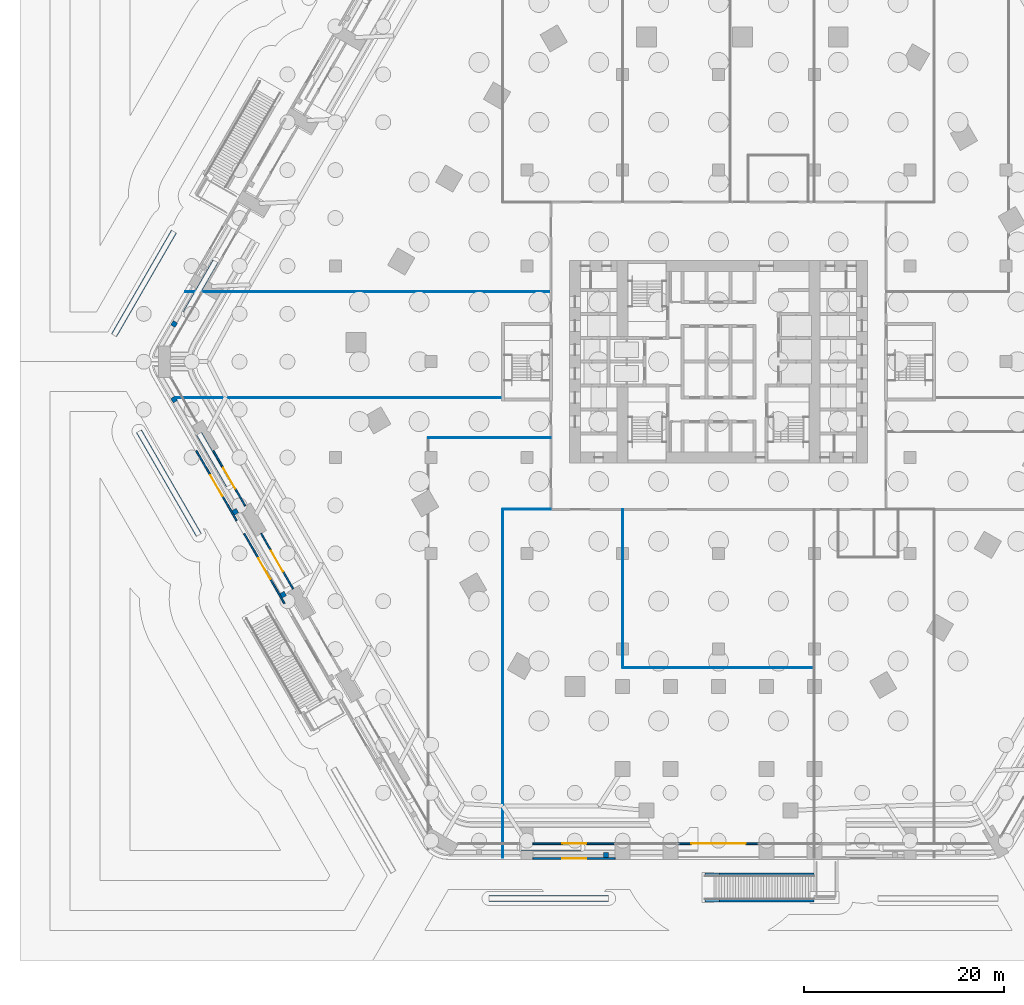
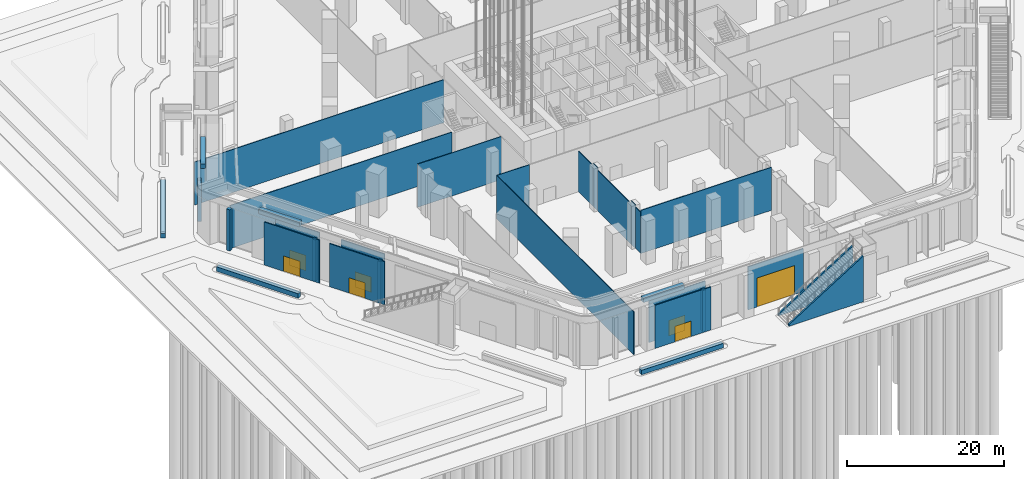
# One storey, part 13 of 68: 31 walls, 7 doors, 7 openings.
"""IFC4 building model written with IfcOpenShell, lengths in metres."""

from ifc_helpers import new_model, si_unit, direction, frame, frame_2d, origin, place, context, subcontext, project, spatial, polyline, rectangle, outline, extrude, material, layer, layer_set, type_object, element, fill, save


model = new_model("IFC4")

# Units and contexts
model_context = context("Model", 3, precision=1e-05, world=origin(), true_north=direction((0.0, 1.0)))
body_context = subcontext(model_context, "Body", "Model", "MODEL_VIEW")
ifc_project = project(units=[si_unit("LENGTHUNIT", "METRE"), si_unit("AREAUNIT", "SQUARE_METRE"), si_unit("VOLUMEUNIT", "CUBIC_METRE"), si_unit("PLANEANGLEUNIT", "RADIAN"), si_unit("MASSUNIT", "GRAM", prefix="KILO")], contexts=[model_context])

# Site, building, storey
site_placement = place(None, origin())
site = spatial("IfcSite", under=ifc_project, at=site_placement, CompositionType="ELEMENT")
building_placement = place(site_placement, origin())
building = spatial("IfcBuilding", under=site, at=building_placement, Name="Kolab Exchange Tower", CompositionType="ELEMENT")
storey_placement = place(building_placement, origin())
storey = spatial("IfcBuildingStorey", under=building, at=storey_placement, Name="L00", CompositionType="ELEMENT", Elevation=0.0)

# Wall, opening, door
ifc_material_1 = material(Name="Aluminium EN AW-6063 T6", Category="aluminium")
ifc_layer_1 = layer(ifc_material_1, 0.159912109375)
ifc_layer_set_1 = layer_set([ifc_layer_1], Name="Aluminium EN AW-6063 T6")
wall_type_1 = type_object("IfcWallType", Name="DOOR SURROUND WALL 160 ALUMINIUM FRAMED", PredefinedType="PARTITIONING", material=ifc_layer_set_1)
wall_1_placement = place(storey_placement, frame((4.048095703125, -48.302978515625, 0.0), z_axis=(0.0, 0.0, 1.0), x_axis=(-1.0, 0.0, 0.0)))
wall_1 = element("IfcWall", 1, at=wall_1_placement, inside=storey, type_object=wall_type_1, Name="Door surround wall", PredefinedType="PARTITIONING", context=body_context, shape_type="SweptSolid", body=[
    extrude(rectangle(XDim=8.09619140625, YDim=0.159912109375, at=frame_2d((4.048095703125, 0.0))), origin(), (0.0, 0.0, 1.0), 6.699951171875),
])
opening_1_placement = place(wall_1_placement, frame((1.298095703125, 0.0, 0.0)))
opening_1 = element("IfcOpeningElement", 2, at=opening_1_placement, cuts=wall_1, Name="Opening VD1-001", PredefinedType="OPENING", context=body_context, shape_type="SweptSolid", body=[
    extrude(rectangle(XDim=5.5, YDim=4.5, at=frame_2d((2.75, 2.25))), frame((0.0, 0.08984375, 0.0), z_axis=(0.0, -1.0, 0.0), x_axis=(1.0, 0.0, 0.0)), (0.0, 0.0, 1.0), 0.179931640625),
])
ifc_material_2 = material(Name="Steel S235", Category="steel")
door_type_1 = type_object("IfcDoorType", Name="LOADING DOCK ROLLER DOOR 5500 X 4500", OperationType="ROLLINGUP", PredefinedType="GATE", material=ifc_material_2)
door_1_placement = place(opening_1_placement, origin())
door_1 = element("IfcDoor", 3, at=door_1_placement, inside=storey, type_object=door_type_1, Name="Loading dock door", OperationType="ROLLINGUP", OverallHeight=4.5, OverallWidth=5.5, PredefinedType="GATE", context=body_context, shape_type="SweptSolid", body=[
    extrude(rectangle(XDim=5.5, YDim=4.5, at=frame_2d((2.75, 2.25))), frame((0.0, 0.02490234375, 0.0), z_axis=(0.0, -1.0, 0.0), x_axis=(1.0, 0.0, 0.0)), (0.0, 0.0, 1.0), 0.050048828125),
])
fill(opening_1, door_1)

wall_2_placement = place(storey_placement, frame((-10.35205078125, -48.302978515625, 0.0), z_axis=(0.0, 0.0, 1.0), x_axis=(-1.0, 0.0, 0.0)))
wall_2 = element("IfcWall", 4, at=wall_2_placement, inside=storey, type_object=wall_type_1, Name="Door surround wall", PredefinedType="PARTITIONING", context=body_context, shape_type="SweptSolid", body=[
    extrude(rectangle(XDim=8.245849609375, YDim=0.159912109375, at=frame_2d((4.123046875, 0.0))), origin(), (0.0, 0.0, 1.0), 6.699951171875),
])
opening_2_placement = place(wall_2_placement, frame((2.923095703125, 0.0, 0.0)))
opening_2 = element("IfcOpeningElement", 5, at=opening_2_placement, cuts=wall_2, Name="Opening ED1-013", PredefinedType="OPENING", context=body_context, shape_type="SweptSolid", body=[
    extrude(rectangle(XDim=2.39990234375, YDim=2.39990234375, at=frame_2d((1.199951171875, 1.199951171875))), frame((0.0, 0.08984375, 0.0), z_axis=(0.0, -1.0, 0.0), x_axis=(1.0, 0.0, 0.0)), (0.0, 0.0, 1.0), 0.179931640625),
])
door_type_2 = type_object("IfcDoorType", Name="ENTRANCE DOUBLE DOOR 2400 X 2400", OperationType="DOUBLE_DOOR_DOUBLE_SWING", PredefinedType="DOOR", material=ifc_material_1)
door_2_placement = place(opening_2_placement, origin())
door_2 = element("IfcDoor", 6, at=door_2_placement, inside=storey, type_object=door_type_2, Name="Entrance door", OperationType="DOUBLE_DOOR_DOUBLE_SWING", OverallHeight=2.39990234375, OverallWidth=2.39990234375, PredefinedType="DOOR", context=body_context, shape_type="SweptSolid", body=[
    extrude(rectangle(XDim=2.39990234375, YDim=2.39990234375, at=frame_2d((1.199951171875, 1.199951171875))), frame((0.0, 0.02490234375, 0.0), z_axis=(0.0, -1.0, 0.0), x_axis=(1.0, 0.0, 0.0)), (0.0, 0.0, 1.0), 0.050048828125),
])
fill(opening_2, door_2)

wall_3_placement = place(storey_placement, frame((-42.632568359375, -22.76416015625, 0.0), z_axis=(0.0, 0.0, 1.0), x_axis=(-0.500002207027, 0.866024129553, 0.0)))
wall_3 = element("IfcWall", 7, at=wall_3_placement, inside=storey, type_object=wall_type_1, Name="Door surround wall", PredefinedType="PARTITIONING", context=body_context, shape_type="SweptSolid", body=[
    extrude(rectangle(XDim=6.39599609375, YDim=0.159912109375, at=frame_2d((3.197998046875, 0.0))), origin(), (0.0, 0.0, 1.0), 6.699951171875),
])
opening_3_placement = place(wall_3_placement, frame((1.998046875, 0.0, 0.0)))
opening_3 = element("IfcOpeningElement", 8, at=opening_3_placement, cuts=wall_3, Name="Opening ED1-016", PredefinedType="OPENING", context=body_context, shape_type="SweptSolid", body=[
    extrude(rectangle(XDim=2.39990234375, YDim=2.39990234375, at=frame_2d((1.199951171875, 1.199951171875))), frame((0.0, 0.08984375, 0.0), z_axis=(0.0, -1.0, 0.0), x_axis=(1.0, 0.0, 0.0)), (0.0, 0.0, 1.0), 0.179931640625),
])
door_3_placement = place(opening_3_placement, origin())
door_3 = element("IfcDoor", 9, at=door_3_placement, inside=storey, type_object=door_type_2, Name="Entrance door", OperationType="DOUBLE_DOOR_DOUBLE_SWING", OverallHeight=2.39990234375, OverallWidth=2.39990234375, PredefinedType="DOOR", context=body_context, shape_type="SweptSolid", body=[
    extrude(rectangle(XDim=2.39990234375, YDim=2.39990234375, at=frame_2d((1.199951171875, 1.199951171875))), frame((0.0, 0.02490234375, 0.0), z_axis=(0.0, -1.0, 0.0), x_axis=(1.0, 0.0, 0.0)), (0.0, 0.0, 1.0), 0.050048828125),
])
fill(opening_3, door_3)

wall_4_placement = place(storey_placement, frame((-47.4326171875, -14.4501953125, 0.0), z_axis=(0.0, 0.0, 1.0), x_axis=(-0.500002207027, 0.866024129553, 0.0)))
wall_4 = element("IfcWall", 10, at=wall_4_placement, inside=storey, type_object=wall_type_1, Name="Door surround wall", PredefinedType="PARTITIONING", context=body_context, shape_type="SweptSolid", body=[
    extrude(rectangle(XDim=6.39599609375, YDim=0.159912109375, at=frame_2d((3.197998046875, 0.0))), origin(), (0.0, 0.0, 1.0), 6.699951171875),
])
opening_4_placement = place(wall_4_placement, frame((1.998046875, 0.0, 0.0)))
opening_4 = element("IfcOpeningElement", 11, at=opening_4_placement, cuts=wall_4, Name="Opening ED1-017", PredefinedType="OPENING", context=body_context, shape_type="SweptSolid", body=[
    extrude(rectangle(XDim=2.39990234375, YDim=2.39990234375, at=frame_2d((1.199951171875, 1.199951171875))), frame((0.0, 0.08984375, 0.0), z_axis=(0.0, -1.0, 0.0), x_axis=(1.0, 0.0, 0.0)), (0.0, 0.0, 1.0), 0.179931640625),
])
door_4_placement = place(opening_4_placement, origin())
door_4 = element("IfcDoor", 12, at=door_4_placement, inside=storey, type_object=door_type_2, Name="Entrance door", OperationType="DOUBLE_DOOR_DOUBLE_SWING", OverallHeight=2.39990234375, OverallWidth=2.39990234375, PredefinedType="DOOR", context=body_context, shape_type="SweptSolid", body=[
    extrude(rectangle(XDim=2.39990234375, YDim=2.39990234375, at=frame_2d((1.199951171875, 1.199951171875))), frame((0.0, 0.02490234375, 0.0), z_axis=(0.0, -1.0, 0.0), x_axis=(1.0, 0.0, 0.0)), (0.0, 0.0, 1.0), 0.050048828125),
])
fill(opening_4, door_4)

wall_5_placement = place(storey_placement, frame((-10.35400390625, -49.782958984375, 0.0), z_axis=(0.0, 0.0, 1.0), x_axis=(-1.0, 0.0, 0.0)))
wall_5 = element("IfcWall", 13, at=wall_5_placement, inside=storey, type_object=wall_type_1, Name="Door surround wall", PredefinedType="PARTITIONING", context=body_context, shape_type="SweptSolid", body=[
    extrude(rectangle(XDim=8.241943359375, YDim=0.159912109375, at=frame_2d((4.12109375, 0.0))), origin(), (0.0, 0.0, 1.0), 6.699951171875),
])
opening_5_placement = place(wall_5_placement, frame((2.9208984375, 0.0, 0.0)))
opening_5 = element("IfcOpeningElement", 14, at=opening_5_placement, cuts=wall_5, Name="Opening ED1-036", PredefinedType="OPENING", context=body_context, shape_type="SweptSolid", body=[
    extrude(rectangle(XDim=2.39990234375, YDim=2.39990234375, at=frame_2d((1.199951171875, 1.199951171875))), frame((0.0, 0.08984375, 0.0), z_axis=(0.0, -1.0, 0.0), x_axis=(1.0, 0.0, 0.0)), (0.0, 0.0, 1.0), 0.179931640625),
])
door_5_placement = place(opening_5_placement, origin())
door_5 = element("IfcDoor", 15, at=door_5_placement, inside=storey, type_object=door_type_2, Name="Entrance door", OperationType="DOUBLE_DOOR_DOUBLE_SWING", OverallHeight=2.39990234375, OverallWidth=2.39990234375, PredefinedType="DOOR", context=body_context, shape_type="SweptSolid", body=[
    extrude(rectangle(XDim=2.39990234375, YDim=2.39990234375, at=frame_2d((1.199951171875, 1.199951171875))), frame((0.0, 0.02490234375, 0.0), z_axis=(0.0, -1.0, 0.0), x_axis=(1.0, 0.0, 0.0)), (0.0, 0.0, 1.0), 0.050048828125),
])
fill(opening_5, door_5)

wall_6_placement = place(storey_placement, frame((-43.489501953125, -24.240234375, 0.0), z_axis=(0.0, 0.0, 1.0), x_axis=(-0.499992196334, 0.866029909186, 0.0)))
wall_6 = element("IfcWall", 16, at=wall_6_placement, inside=storey, type_object=wall_type_1, Name="Door surround wall", PredefinedType="PARTITIONING", context=body_context, shape_type="SweptSolid", body=[
    extrude(rectangle(XDim=8.095947265625, YDim=0.159912109375, at=frame_2d((4.0478515625, 0.0))), origin(), (0.0, 0.0, 1.0), 6.699951171875),
])
opening_6_placement = place(wall_6_placement, frame((2.847900390625, 0.0, 0.0)))
opening_6 = element("IfcOpeningElement", 17, at=opening_6_placement, cuts=wall_6, Name="Opening ED1-039", PredefinedType="OPENING", context=body_context, shape_type="SweptSolid", body=[
    extrude(rectangle(XDim=2.39990234375, YDim=2.39990234375, at=frame_2d((1.199951171875, 1.199951171875))), frame((0.0, 0.08984375, 0.0), z_axis=(0.0, -1.0, 0.0), x_axis=(1.0, 0.0, 0.0)), (0.0, 0.0, 1.0), 0.179931640625),
])
door_6_placement = place(opening_6_placement, origin())
door_6 = element("IfcDoor", 18, at=door_6_placement, inside=storey, type_object=door_type_2, Name="Entrance door", OperationType="DOUBLE_DOOR_DOUBLE_SWING", OverallHeight=2.39990234375, OverallWidth=2.39990234375, PredefinedType="DOOR", context=body_context, shape_type="SweptSolid", body=[
    extrude(rectangle(XDim=2.39990234375, YDim=2.39990234375, at=frame_2d((1.199951171875, 1.199951171875))), frame((0.0, 0.02490234375, 0.0), z_axis=(0.0, -1.0, 0.0), x_axis=(1.0, 0.0, 0.0)), (0.0, 0.0, 1.0), 0.050048828125),
])
fill(opening_6, door_6)

wall_7_placement = place(storey_placement, frame((-48.289306640625, -15.926513671875, 0.0), z_axis=(0.0, 0.0, 1.0), x_axis=(-0.500001755459, 0.866024390267, 0.0)))
wall_7 = element("IfcWall", 19, at=wall_7_placement, inside=storey, type_object=wall_type_1, Name="Door surround wall", PredefinedType="PARTITIONING", context=body_context, shape_type="SweptSolid", body=[
    extrude(rectangle(XDim=8.09619140625, YDim=0.159912109375, at=frame_2d((4.048095703125, 0.0))), origin(), (0.0, 0.0, 1.0), 6.699951171875),
])
opening_7_placement = place(wall_7_placement, frame((2.847900390625, 0.0, 0.0)))
opening_7 = element("IfcOpeningElement", 20, at=opening_7_placement, cuts=wall_7, Name="Opening ED1-040", PredefinedType="OPENING", context=body_context, shape_type="SweptSolid", body=[
    extrude(rectangle(XDim=2.39990234375, YDim=2.39990234375, at=frame_2d((1.199951171875, 1.199951171875))), frame((0.0, 0.08984375, 0.0), z_axis=(0.0, -1.0, 0.0), x_axis=(1.0, 0.0, 0.0)), (0.0, 0.0, 1.0), 0.179931640625),
])
door_7_placement = place(opening_7_placement, origin())
door_7 = element("IfcDoor", 21, at=door_7_placement, inside=storey, type_object=door_type_2, Name="Entrance door", OperationType="DOUBLE_DOOR_DOUBLE_SWING", OverallHeight=2.39990234375, OverallWidth=2.39990234375, PredefinedType="DOOR", context=body_context, shape_type="SweptSolid", body=[
    extrude(rectangle(XDim=2.39990234375, YDim=2.39990234375, at=frame_2d((1.199951171875, 1.199951171875))), frame((0.0, 0.02490234375, 0.0), z_axis=(0.0, -1.0, 0.0), x_axis=(1.0, 0.0, 0.0)), (0.0, 0.0, 1.0), 0.050048828125),
])
fill(opening_7, door_7)

# Walls
ifc_material_3 = material(Name="Gypsum board", Category="gypsum")
ifc_layer_2 = layer(ifc_material_3, 0.10009765625)
ifc_layer_set_2 = layer_set([ifc_layer_2], Name="Gypsum board")
wall_type_2 = type_object("IfcWallType", Name="PARTITION 100", PredefinedType="PARTITIONING", material=ifc_layer_set_2)
wall_8_placement = place(storey_placement, frame((-9.60009765625, -28.239990234375, 0.0), z_axis=(0.0, 0.0, 1.0), x_axis=(0.0, 1.0, 0.0)))
element("IfcWall", 22, at=wall_8_placement, inside=storey, type_object=wall_type_2, Name="Partition 017", PredefinedType="PARTITIONING", context=body_context, shape_type="SweptSolid", body=[
    extrude(rectangle(XDim=8.47998046875, YDim=0.10009765625, at=frame_2d((4.239990234375, 0.0))), origin(), (0.0, 0.0, 1.0), 6.29296875),
])
wall_9_placement = place(storey_placement, frame((-9.60009765625, -30.677734375, 0.0), z_axis=(0.0, 0.0, 1.0), x_axis=(0.0, 1.0, 0.0)))
element("IfcWall", 23, at=wall_9_placement, inside=storey, type_object=wall_type_2, Name="Partition 017", PredefinedType="PARTITIONING", context=body_context, shape_type="SweptSolid", body=[
    extrude(rectangle(XDim=1.317626953125, YDim=0.10009765625, at=frame_2d((0.65869140625, 0.0))), origin(), (0.0, 0.0, 1.0), 6.389892578125),
])
for number, where, z_axis, x_axis, name in (
    (24, (-9.60009765625, -29.360107421875, 0.0), (0.0, 0.0, 1.0), (0.0, 1.0, 0.0), "Partition 017"),
    (25, (-9.60009765625, -19.760009765625, 0.0), (0.0, 0.0, 1.0), (0.0, 1.0, 0.0), "Partition 017"),
):
    element("IfcWall", number, at=place(storey_placement, frame(where, z_axis=z_axis, x_axis=x_axis)), inside=storey, type_object=wall_type_2, Name=name, PredefinedType="PARTITIONING", context=body_context, shape_type="SweptSolid", body=[
        extrude(rectangle(XDim=1.1201171875, YDim=0.10009765625, at=frame_2d((0.56005859375, 0.0))), origin(), (0.0, 0.0, 1.0), 6.699951171875),
    ])
wall_10_placement = place(storey_placement, frame((-9.60009765625, -18.639892578125, 0.0), z_axis=(0.0, 0.0, 1.0), x_axis=(0.0, 1.0, 0.0)))
element("IfcWall", 26, at=wall_10_placement, inside=storey, type_object=wall_type_2, Name="Partition 017", PredefinedType="PARTITIONING", context=body_context, shape_type="SweptSolid", body=[
    extrude(rectangle(XDim=3.83984375, YDim=0.10009765625, at=frame_2d((1.919921875, 0.0))), origin(), (0.0, 0.0, 1.0), 6.29296875),
])
wall_11_placement = place(storey_placement, frame((-21.60009765625, -49.713134765625, 0.0), z_axis=(0.0, 0.0, 1.0), x_axis=(0.0, 1.0, 0.0)))
element("IfcWall", 27, at=wall_11_placement, inside=storey, type_object=wall_type_2, Name="Partition 022", PredefinedType="PARTITIONING", context=body_context, shape_type="SweptSolid", body=[
    extrude(rectangle(XDim=34.9130859375, YDim=0.10009765625, at=frame_2d((17.45654296875, 0.0))), origin(), (0.0, 0.0, 1.0), 6.699951171875),
])
wall_12_placement = place(storey_placement, frame((-9.60009765625, -30.677734375, 0.0), z_axis=(0.0, 0.0, 1.0), x_axis=(1.0, 0.0, 0.0)))
element("IfcWall", 28, at=wall_12_placement, inside=storey, type_object=wall_type_2, Name="Partition 025", PredefinedType="PARTITIONING", context=body_context, shape_type="SweptSolid", body=[
    extrude(rectangle(XDim=19.2001953125, YDim=0.10009765625, at=frame_2d((9.60009765625, 0.0))), origin(), (0.0, 0.0, 1.0), 6.699951171875),
])
wall_13_placement = place(storey_placement, frame((-21.60009765625, -14.800048828125, 0.0), z_axis=(0.0, 0.0, 1.0), x_axis=(1.0, 0.0, 0.0)))
element("IfcWall", 29, at=wall_13_placement, inside=storey, type_object=wall_type_2, Name="Partition 027", PredefinedType="PARTITIONING", context=body_context, shape_type="SweptSolid", body=[
    extrude(rectangle(XDim=4.800048828125, YDim=0.10009765625, at=frame_2d((2.39990234375, 0.0))), origin(), (0.0, 0.0, 1.0), 6.699951171875),
])
wall_14_placement = place(storey_placement, frame((-29.096923828125, -7.60009765625, 0.0), z_axis=(0.0, 0.0, 1.0), x_axis=(1.0, 0.0, 0.0)))
element("IfcWall", 30, at=wall_14_placement, inside=storey, type_object=wall_type_2, Name="Partition 030", PredefinedType="PARTITIONING", context=body_context, shape_type="SweptSolid", body=[
    extrude(rectangle(XDim=12.296875, YDim=0.10009765625, at=frame_2d((6.1484375, 0.0))), origin(), (0.0, 0.0, 1.0), 6.699951171875),
])
wall_15_placement = place(storey_placement, frame((-54.337890625, -3.60009765625, 0.0), z_axis=(0.0, 0.0, 1.0), x_axis=(1.0, 0.0, 0.0)))
element("IfcWall", 31, at=wall_15_placement, inside=storey, type_object=wall_type_2, Name="Partition 033", PredefinedType="PARTITIONING", context=body_context, shape_type="SweptSolid", body=[
    extrude(rectangle(XDim=32.587890625, YDim=0.10009765625, at=frame_2d((16.2939453125, 0.0))), origin(), (0.0, 0.0, 1.0), 6.699951171875),
])
wall_16_placement = place(storey_placement, frame((-53.419921875, 7.0, 0.0), z_axis=(0.0, 0.0, 1.0), x_axis=(1.0, 0.0, 0.0)))
element("IfcWall", 32, at=wall_16_placement, inside=storey, type_object=wall_type_2, Name="Partition 036", PredefinedType="PARTITIONING", context=body_context, shape_type="SweptSolid", body=[
    extrude(rectangle(XDim=36.619873046875, YDim=0.10009765625, at=frame_2d((18.31005859375, 0.0))), origin(), (0.0, 0.0, 1.0), 6.699951171875),
])
ifc_material_4 = material(Name="Granite facing", Category="masonry")
ifc_layer_3 = layer(ifc_material_4, 0.0400390625)
ifc_material_5 = material(Name="Concrete C40/50 precast", Category="concrete")
ifc_layer_4 = layer(ifc_material_5, 0.56005859375)
ifc_layer_set_3 = layer_set([ifc_layer_3, ifc_layer_4], Name="Concrete C40/50 precast")
wall_type_3 = type_object("IfcWallType", Name="PLANTER BOX 600 X 700 SOIL DEPTH 550", PredefinedType="USERDEFINED", material=ifc_layer_set_3)
for number, where, z_axis, x_axis, name in (
    (33, (-13.7822265625, -48.68310546875, 7.0), (0.0, 0.0, 1.0), (-1.0, 0.0, 0.0), "Planter"),
    (34, (-49.0517578125, -12.40576171875, 7.0), (0.0, 0.0, 1.0), (-0.500007758305, 0.866020924479, 0.0), "Planter"),
    (35, (-53.40478515625, 4.865234375, 7.0), (0.0, 0.0, 1.0), (0.499990139034, 0.866031096941, 0.0), "Planter"),
):
    element("IfcWall", number, at=place(storey_placement, frame(where, z_axis=z_axis, x_axis=x_axis)), inside=storey, type_object=wall_type_3, Name=name, ObjectType="PLANTER", PredefinedType="USERDEFINED", context=body_context, shape_type="SweptSolid", body=[
        extrude(rectangle(XDim=6.0, YDim=0.60009765625, at=frame_2d((3.0, 0.0))), origin(), (0.0, 0.0, 1.0), 0.699951171875),
    ])
for number, where, z_axis, x_axis, name in (
    (36, (-11.0, -53.782958984375, 0.0), (0.0, 0.0, 1.0), (-1.0, 0.0, 0.0), "Planter"),
    (37, (-52.077392578125, -17.365234375, 0.0), (0.0, 0.0, 1.0), (-0.49999894854, 0.866026010844, 0.0), "Planter"),
    (38, (-60.577392578125, 2.642822265625, 0.0), (0.0, 0.0, 1.0), (0.49999894854, 0.866026010844, 0.0), "Planter"),
):
    element("IfcWall", number, at=place(storey_placement, frame(where, z_axis=z_axis, x_axis=x_axis)), inside=storey, type_object=wall_type_3, Name=name, ObjectType="PLANTER", PredefinedType="USERDEFINED", context=body_context, shape_type="SweptSolid", body=[
        extrude(rectangle(XDim=12.0, YDim=0.60009765625, at=frame_2d((6.0, 0.0))), origin(), (0.0, 0.0, 1.0), 0.699951171875),
    ])
ifc_layer_5 = layer(ifc_material_4, 0.0400390625)
ifc_material_6 = material(Name="Concrete C40/50", Category="concrete")
ifc_layer_6 = layer(ifc_material_6, 0.2099609375)
ifc_layer_set_4 = layer_set([ifc_layer_5, ifc_layer_6], Name="Concrete C40/50")
wall_type_4 = type_object("IfcWallType", Name="STAIR CHEEK WALL 250", PredefinedType="SOLIDWALL", material=ifc_layer_set_4)
for number, where, z_axis, x_axis, name in (
    (39, (-1.360107421875, -51.358154296875, 0.0), (0.0, 0.0, 1.0), (1.0, 0.0, 0.0), "Stair cheek wall"),
    (40, (-1.360107421875, -54.008056640625, 0.0), (0.0, 0.0, 1.0), (1.0, 0.0, 0.0), "Stair cheek wall"),
):
    element("IfcWall", number, at=place(storey_placement, frame(where, z_axis=z_axis, x_axis=x_axis)), inside=storey, type_object=wall_type_4, Name=name, PredefinedType="SOLIDWALL", context=body_context, shape_type="SweptSolid", body=[
        extrude(outline(polyline([(0.0, 0.0), (10.920166015625, 0.0), (10.919921875, 7.10009765625), (0.0, 0.27490234375), (0.0, 0.0)])), frame((0.0, 0.125, 0.0), z_axis=(0.0, -1.0, 0.0), x_axis=(1.0, 0.0, 0.0)), (0.0, 0.0, 1.0), 0.25),
    ])
ifc_layer_7 = layer(ifc_material_4, 0.5)
ifc_layer_set_5 = layer_set([ifc_layer_7], Name="Granite facing")
wall_type_5 = type_object("IfcWallType", Name="STONE FACADE FIN 500 X 500", PredefinedType="SOLIDWALL", material=ifc_layer_set_5)
for number, where, z_axis, x_axis, name in (
    (41, (-11.02490234375, -49.453125, 0.0), (0.0, 0.0, 1.0), (-1.0, 0.0, 0.0), "Stone facade fin"),
    (42, (-43.502685546875, -23.557373046875, 0.0), (0.0, 0.0, 1.0), (-0.499919672301, 0.866071776036, 0.0), "Stone facade fin"),
    (43, (-48.302490234375, -15.24365234375, 0.0), (0.0, 0.0, 1.0), (-0.499919672301, 0.866071776036, 0.0), "Stone facade fin"),
    (44, (-54.425048828125, -3.99853515625, 0.0), (0.0, 0.0, 1.0), (-0.499919672301, 0.866071776036, 0.0), "Stone facade fin"),
    (45, (-54.675048828125, 3.5654296875, 0.0), (0.0, 0.0, 1.0), (0.499919672301, 0.866071776036, 0.0), "Stone facade fin"),
):
    element("IfcWall", number, at=place(storey_placement, frame(where, z_axis=z_axis, x_axis=x_axis)), inside=storey, type_object=wall_type_5, Name=name, PredefinedType="SOLIDWALL", context=body_context, shape_type="SweptSolid", body=[
        extrude(rectangle(XDim=0.5, YDim=0.5, at=frame_2d((0.25, 0.0))), origin(), (0.0, 0.0, 1.0), 6.39990234375),
    ])

save(model, "model.ifc")
